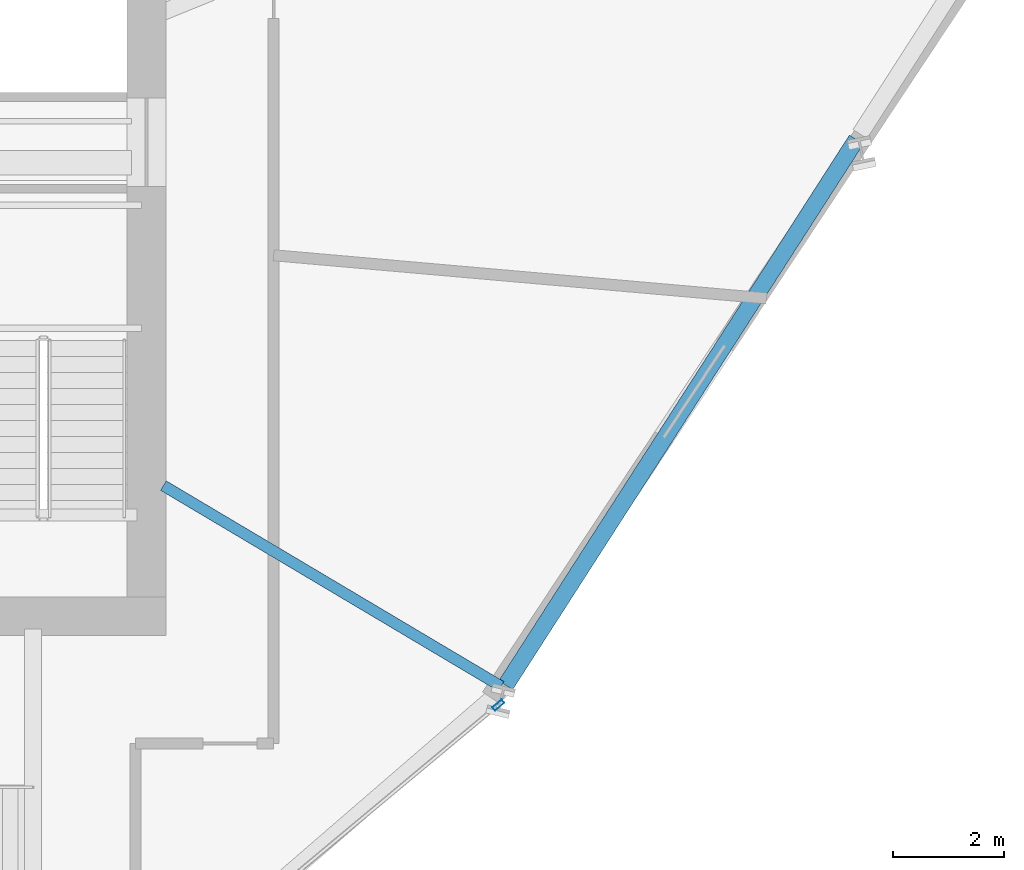
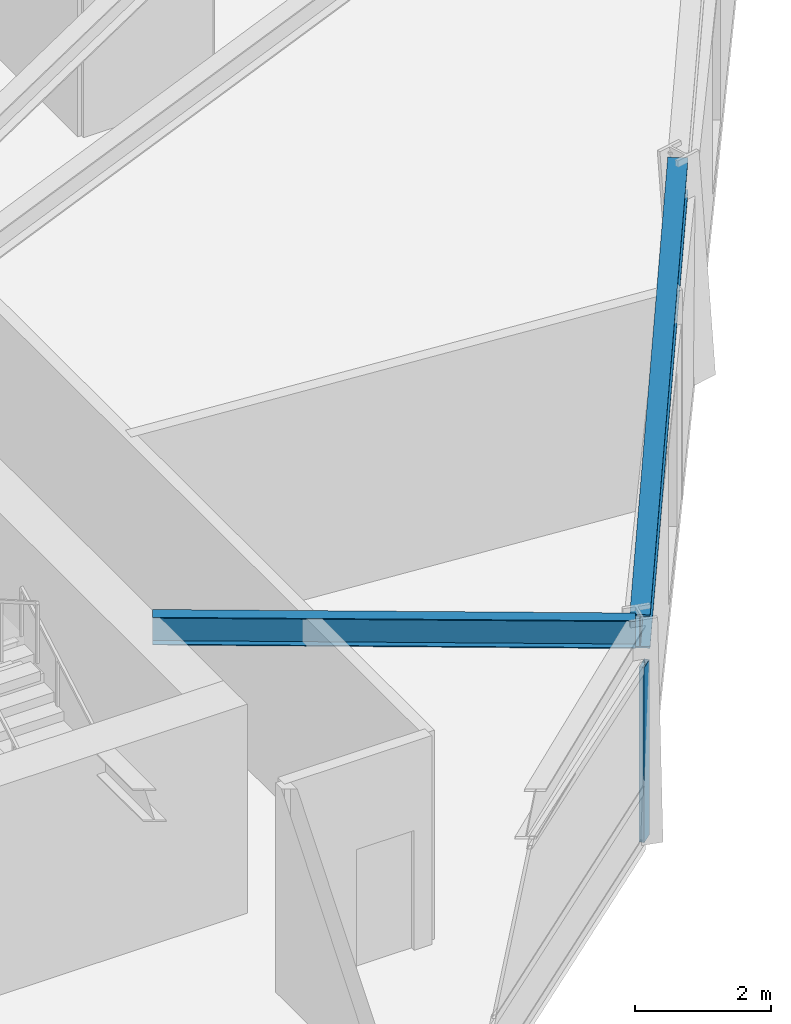
# One storey, part 7 of 16: 2 beams, 1 member, 1 element without a shape of its own.
"""IFC4 building model written with IfcOpenShell, lengths in metres."""

from ifc_helpers import new_model, si_unit, direction, frame, origin, origin_2d, place, context, subcontext, project, spatial, hollow_rectangle, i_section, extrude, source, transform, mapped, material, material_profile, profile_set, type_object, element, aggregate, save


model = new_model("IFC4")

# Units and contexts
model_context = context("Model", 3, precision=1e-05, world=origin(), true_north=direction((0.0, 1.0)))
body_context = subcontext(model_context, "Body", "Model", "MODEL_VIEW")
ifc_project = project(units=[si_unit("LENGTHUNIT", "METRE"), si_unit("AREAUNIT", "SQUARE_METRE"), si_unit("VOLUMEUNIT", "CUBIC_METRE"), si_unit("PLANEANGLEUNIT", "RADIAN"), si_unit("MASSUNIT", "GRAM", prefix="KILO")], contexts=[model_context])

# Site, building, storey
site_placement = place(None, origin())
site = spatial("IfcSite", under=ifc_project, at=site_placement, CompositionType="ELEMENT")
building_placement = place(site_placement, origin())
building = spatial("IfcBuilding", under=site, at=building_placement, Name="Olszyna Solenne Hotel", CompositionType="ELEMENT")
storey_placement = place(building_placement, frame((0.0, 0.0, 134.10009765625)))
storey = spatial("IfcBuildingStorey", under=building, at=storey_placement, Name="L35", CompositionType="ELEMENT", Elevation=134.10009765625)

# Beams
ifc_material_1 = material(Name="Steel S355J2", Category="steel")
ifc_material_profile_1 = material_profile(ifc_material_1, i_section(OverallWidth=0.300048828125, OverallDepth=0.60009765625, WebThickness=0.015380859375, FlangeThickness=0.030029296875, at=origin_2d()), Name="HEB 600", Category="load-bearing")
ifc_profile_set_1 = profile_set([ifc_material_profile_1], Name="Steel S355J2")
beam_type_1 = type_object("IfcBeamType", Name="BM-S2", PredefinedType="BEAM", material=ifc_profile_set_1)
shared_shape_1 = source(origin(), body_context, "Body", "SweptSolid", [
    extrude(i_section(OverallWidth=0.300048828125, OverallDepth=0.60009765625, WebThickness=0.015380859375, FlangeThickness=0.030029296875, at=origin_2d()), origin(), (0.0, 0.0, 1.0), 11.72705078125),
])
beam_1_placement = place(storey_placement, frame((52.745849609375, 17.9033203125, 3.449951171875), z_axis=(0.540684986562, 0.841225145432, 0.0), x_axis=(-0.841225145432, 0.540684986562, 0.0)))
element("IfcBeam", 1, at=beam_1_placement, inside=storey, type_object=beam_type_1, Name="Perimeter spandrel beam BM-S2 B-L35-1052", PredefinedType="BEAM", context=body_context, shape_type="MappedRepresentation", body=[
    mapped(shared_shape_1, transform((0.0, 0.0, 0.0), x_axis=(1.0, 0.0, 0.0), y_axis=(0.0, 1.0, 0.0), z_axis=(0.0, 0.0, 1.0), scale=1.0)),
])
ifc_material_profile_2 = material_profile(ifc_material_1, i_section(OverallWidth=0.199951171875, OverallDepth=0.5, WebThickness=0.01025390625, FlangeThickness=0.01611328125, at=origin_2d()), Name="IPE 500", Category="load-bearing")
ifc_profile_set_2 = profile_set([ifc_material_profile_2], Name="Steel S355J2")
beam_type_2 = type_object("IfcBeamType", Name="BM-F3", PredefinedType="BEAM", material=ifc_profile_set_2)
shared_shape_2 = source(origin(), body_context, "Body", "SweptSolid", [
    extrude(i_section(OverallWidth=0.199951171875, OverallDepth=0.5, WebThickness=0.01025390625, FlangeThickness=0.01611328125, at=origin_2d()), origin(), (0.0, 0.0, 1.0), 7.102294921875),
])
beam_2_placement = place(storey_placement, frame((52.661865234375, 17.883544921875, 3.5), z_axis=(-0.85958771548, 0.510988218452, 0.0), x_axis=(-0.510988218452, -0.85958771548, 0.0)))
element("IfcBeam", 2, at=beam_2_placement, inside=storey, type_object=beam_type_2, Name="Radial floor girder BM-F3 B-L35-1062", PredefinedType="BEAM", context=body_context, shape_type="MappedRepresentation", body=[
    mapped(shared_shape_2, transform((0.0, 0.0, 0.0), x_axis=(1.0, 0.0, 0.0), y_axis=(0.0, 1.0, 0.0), z_axis=(0.0, 0.0, 1.0), scale=1.0)),
])

# Curtain wall, member
ifc_material_2 = material(Name="Anodised bronze aluminium", Category="aluminium")
curtain_wall_type = type_object("IfcCurtainWallType", Name="CW-SYS-6", PredefinedType="NOTDEFINED", material=ifc_material_2)
curtain_wall_placement = place(storey_placement, origin())
curtain_wall = element("IfcCurtainWall", 3, at=curtain_wall_placement, inside=storey, type_object=curtain_wall_type, Name="Unitised curtain wall CW-SYS-6 CW-L35-01", PredefinedType="NOTDEFINED")
ifc_material_profile_3 = material_profile(ifc_material_2, hollow_rectangle(XDim=0.080078125, YDim=0.219970703125, WallThickness=0.0048828125, at=origin_2d()), Name="MULL 220x80x5", Category="load-bearing")
ifc_profile_set_3 = profile_set([ifc_material_profile_3], Name="Anodised bronze aluminium")
member_type = type_object("IfcMemberType", Name="CW-M1", PredefinedType="MULLION", material=ifc_profile_set_3)
shared_shape_3 = source(origin(), body_context, "Body", "SweptSolid", [
    extrude(hollow_rectangle(XDim=0.080078125, YDim=0.219970703125, WallThickness=0.0048828125, at=origin_2d()), origin(), (0.0, 0.0, 1.0), 3.141845703125),
])
member_placement = place(storey_placement, frame((52.6123046875, 17.546142578125, 0.0), z_axis=(0.0, 0.0, 1.0), x_axis=(-0.640340265609, 0.768091364513, 0.0)))
member = element("IfcMember", 4, at=member_placement, type_object=member_type, Name="Curtain-wall mullion CW-M1 CM-L35-01-04", PredefinedType="MULLION", context=body_context, shape_type="MappedRepresentation", body=[
    mapped(shared_shape_3, transform((0.0, 0.0, 0.0), x_axis=(1.0, 0.0, 0.0), y_axis=(0.0, 1.0, 0.0), z_axis=(0.0, 0.0, 1.0), scale=1.0)),
])
aggregate(curtain_wall, [member])

save(model, "model.ifc")
